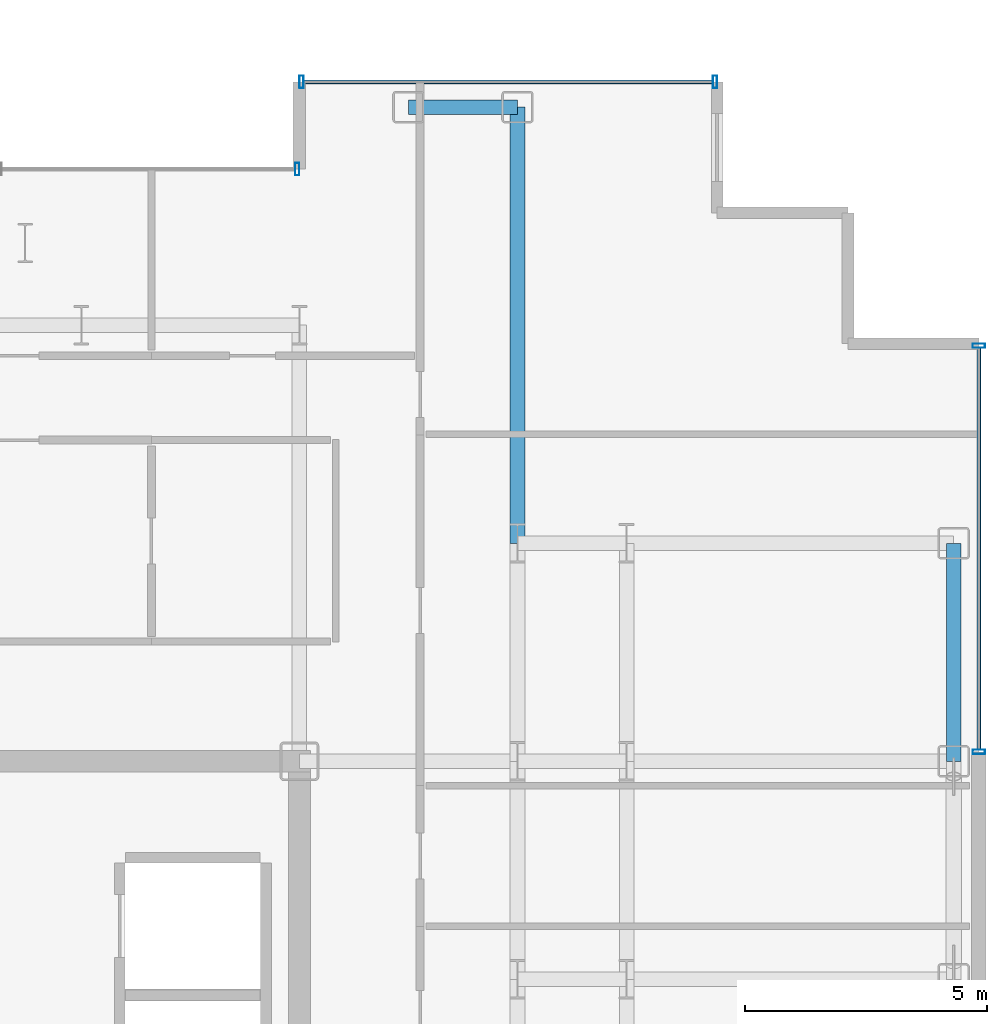
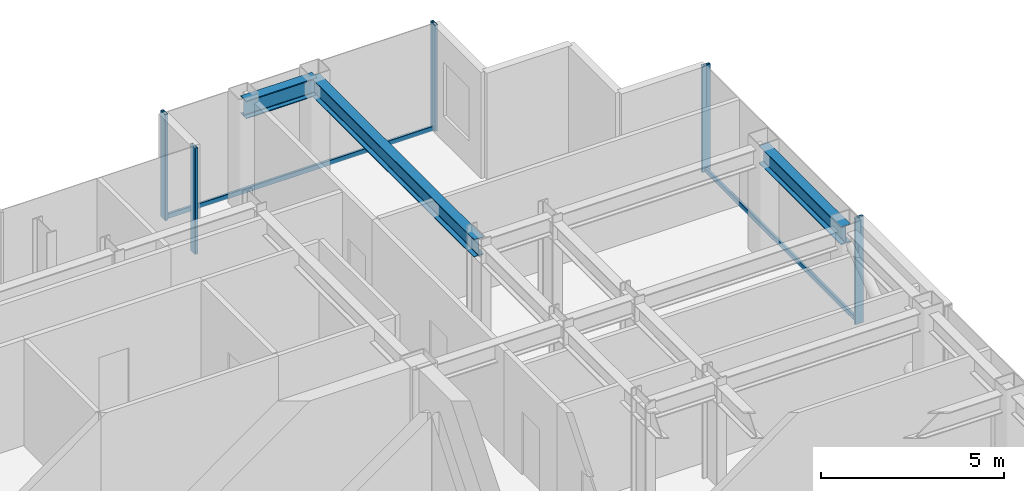
# One storey, part 13 of 21: 7 members, 3 beams, 3 elements without a shape of their own.
"""IFC4 building model written with IfcOpenShell, lengths in metres."""

import ifcopenshell
import ifcopenshell.guid

model = None  # the IFC model being written
_history = None  # IfcOwnerHistory: only IFC2X3 demands one
_inside = {}  # id of a spatial element -> (the spatial element, [elements in it])
_under = {}  # id of a project, library or spatial element -> (it, [spatial elements below it])
_declared = {}  # id of a project -> (the project, [libraries it declares])
_typed = {}  # id of a type object -> (the type object, [elements of that type])
_made_of = {}  # id of a material, layer set ... -> (it, [elements and type objects made of it])


def new_model(schema):
    """Start an empty IFC model of exactly this schema.

    Asked for "IFC4X3", IfcOpenShell would pick the latest addendum, in which some entities
    have other attributes; the version numbers below select the first issue.
    IFC2X3 requires an IfcOwnerHistory on every rooted entity: one is made here for all.
    """
    global model, _history
    if schema == "IFC4X3":
        model = ifcopenshell.file(schema_version=(4, 3, 0, 0))
    else:
        model = ifcopenshell.file(schema=schema)
    _inside.clear()
    _under.clear()
    _declared.clear()
    _typed.clear()
    _made_of.clear()
    _history = None
    if model.schema == "IFC2X3":
        org = make("IfcOrganization", Name="unknown")
        user = make(
            "IfcPersonAndOrganization",
            ThePerson=make("IfcPerson", FamilyName="unknown"),
            TheOrganization=org,
        )
        app = make(
            "IfcApplication",
            ApplicationDeveloper=org,
            Version="unknown",
            ApplicationFullName="unknown",
            ApplicationIdentifier="unknown",
        )
        _history = make(
            "IfcOwnerHistory",
            OwningUser=user,
            OwningApplication=app,
            ChangeAction="ADDED",
            CreationDate=0,
        )
    return model


def make(cls, **values):
    """One entity of the class cls with the attributes given. An attribute that is None is left unset."""
    return model.create_entity(
        cls, **{name: value for name, value in values.items() if value is not None}
    )


def rooted(cls, **values):
    """An entity with a GlobalId (a new one), such as an element, a storey or a relation."""
    return make(cls, GlobalId=ifcopenshell.guid.new(), OwnerHistory=_history, **values)


def si_unit(unit_type, name, prefix=None):
    """IfcSIUnit, for example si_unit("LENGTHUNIT", "METRE", prefix="MILLI")."""
    return make("IfcSIUnit", UnitType=unit_type, Prefix=prefix, Name=name)


def assignment(units):
    """IfcUnitAssignment: the units of a project."""
    return None if units is None else make("IfcUnitAssignment", Units=units)


def point(xyz):
    """IfcCartesianPoint."""
    return None if xyz is None else make("IfcCartesianPoint", Coordinates=xyz)


def direction(xyz):
    """IfcDirection."""
    return None if xyz is None else make("IfcDirection", DirectionRatios=xyz)


def frame(location, z_axis=None, x_axis=None):
    """IfcAxis2Placement3D, a coordinate frame: its origin and axes. An axis left out is left unset."""
    return make(
        "IfcAxis2Placement3D",
        Location=point(location),
        Axis=direction(z_axis),
        RefDirection=direction(x_axis),
    )


def frame_2d(location, x_axis=None):
    """IfcAxis2Placement2D, a coordinate frame in the plane: its origin and x axis."""
    return make(
        "IfcAxis2Placement2D", Location=point(location), RefDirection=direction(x_axis)
    )


def origin():
    """The frame at (0, 0, 0) with its axes left unset."""
    return frame((0.0, 0.0, 0.0))


def origin_2d():
    """The frame at (0, 0) in the plane with its x axis left unset."""
    return frame_2d((0.0, 0.0))


def place(relative_to, where):
    """IfcLocalPlacement: puts the frame where relative to a parent placement (None: the world)."""
    return make(
        "IfcLocalPlacement", PlacementRelTo=relative_to, RelativePlacement=where
    )


def context(
    kind, dimensions, precision=None, world=None, true_north=None, identifier=None
):
    """IfcGeometricRepresentationContext, for example the 3D "Model" context."""
    return make(
        "IfcGeometricRepresentationContext",
        ContextIdentifier=identifier,
        ContextType=kind,
        CoordinateSpaceDimension=dimensions,
        Precision=precision,
        WorldCoordinateSystem=world,
        TrueNorth=true_north,
    )


def subcontext(parent, identifier, kind, view, scale=None):
    """IfcGeometricRepresentationSubContext, for example "Body" below "Model"."""
    return make(
        "IfcGeometricRepresentationSubContext",
        ContextIdentifier=identifier,
        ContextType=kind,
        ParentContext=parent,
        TargetScale=scale,
        TargetView=view,
    )


def project(units=None, contexts=None):
    """IfcProject with its units and contexts."""
    return rooted(
        "IfcProject",
        Name="project",
        RepresentationContexts=contexts,
        UnitsInContext=assignment(units),
    )


def spatial(cls, under=None, at=None, **own):
    """A site, building, storey or space (cls), placed at a placement, below another one or the project."""
    s = rooted(cls, ObjectPlacement=at, **own)
    if under is not None:
        _under.setdefault(under.id(), (under, []))[1].append(s)
    return s


def profile(cls, at=None, kind="AREA", **sizes):
    """A parametric profile (cls). Its sizes go by their IFC names, for example OverallWidth=200.0."""
    return make(cls, ProfileType=kind, Position=at, **sizes)


def hollow_rectangle(**sizes):
    """IfcRectangleHollowProfileDef."""
    return profile("IfcRectangleHollowProfileDef", **sizes)


def i_section(**sizes):
    """IfcIShapeProfileDef."""
    return profile("IfcIShapeProfileDef", **sizes)


def extrude(swept, where, along, depth):
    """IfcExtrudedAreaSolid: the profile swept, set in the frame where, extruded along a direction by depth."""
    return make(
        "IfcExtrudedAreaSolid",
        SweptArea=swept,
        Position=where,
        ExtrudedDirection=direction(along),
        Depth=depth,
    )


def shape(context_of_items, identifier, shape_type, items):
    """IfcShapeRepresentation: the items that make up one representation, for example the "Body"."""
    return make(
        "IfcShapeRepresentation",
        ContextOfItems=context_of_items,
        RepresentationIdentifier=identifier,
        RepresentationType=shape_type,
        Items=items,
    )


def source(mapping_origin, context_of_items, identifier, shape_type, items):
    """IfcRepresentationMap: a shape defined once, which mapped items show again and again."""
    return make(
        "IfcRepresentationMap",
        MappingOrigin=mapping_origin,
        MappedRepresentation=shape(context_of_items, identifier, shape_type, items),
    )


def transform(
    local_origin,
    x_axis=None,
    y_axis=None,
    z_axis=None,
    scale=None,
    scale2=None,
    scale3=None,
    uniform=True,
):
    """IfcCartesianTransformationOperator3D, or its non-uniform kind. x_axis, y_axis, z_axis: its Axis1, 2, 3."""
    if uniform:
        return make(
            "IfcCartesianTransformationOperator3D",
            Axis1=direction(x_axis),
            Axis2=direction(y_axis),
            LocalOrigin=point(local_origin),
            Scale=scale,
            Axis3=direction(z_axis),
        )
    return make(
        "IfcCartesianTransformationOperator3DnonUniform",
        Axis1=direction(x_axis),
        Axis2=direction(y_axis),
        LocalOrigin=point(local_origin),
        Scale=scale,
        Axis3=direction(z_axis),
        Scale2=scale2,
        Scale3=scale3,
    )


def mapped(mapping_source, mapping_target):
    """IfcMappedItem: shows the shape of a source again, moved by a transform."""
    return make(
        "IfcMappedItem", MappingSource=mapping_source, MappingTarget=mapping_target
    )


def material(Name=None, Category=None):
    """IfcMaterial."""
    return make("IfcMaterial", Name=Name, Category=Category)


def layer(
    of_material, thickness, ventilated=None, Name=None, Category=None, Priority=None
):
    """IfcMaterialLayer: one layer of a wall or slab, of a material (None: an air gap)."""
    return make(
        "IfcMaterialLayer",
        Material=of_material,
        LayerThickness=thickness,
        IsVentilated=ventilated,
        Name=Name,
        Category=Category,
        Priority=Priority,
    )


def layer_set(layers, Name=None):
    """IfcMaterialLayerSet."""
    return make("IfcMaterialLayerSet", MaterialLayers=layers, LayerSetName=Name)


def material_profile(
    of_material, cross_section, Name=None, Category=None, Priority=None
):
    """IfcMaterialProfile: a cross section and its material."""
    return make(
        "IfcMaterialProfile",
        Name=Name,
        Material=of_material,
        Profile=cross_section,
        Priority=Priority,
        Category=Category,
    )


def profile_set(profiles, Name=None, composite=None):
    """IfcMaterialProfileSet."""
    return make(
        "IfcMaterialProfileSet",
        Name=Name,
        MaterialProfiles=profiles,
        CompositeProfile=composite,
    )


def made_of(thing, what):
    """Note that an element or type object is made of a material, layer set ...; save() writes the relation."""
    if what is not None:
        _made_of.setdefault(what.id(), (what, []))[1].append(thing)
    return thing


def type_object(cls, material=None, **own):
    """A type object (cls), such as IfcWallType, which elements share."""
    return made_of(rooted(cls, **own), material)


def element(
    cls,
    number,
    at=None,
    inside=None,
    cuts=None,
    type_object=None,
    material=None,
    context=None,
    identifier="Body",
    shape_type=None,
    held_by="IfcProductDefinitionShape",
    body=None,
    shapes=None,
    **own,
):
    """One element of the class cls, such as IfcWall. Its Tag is "e" and its number.

    at: its placement. inside: the storey or other place that contains it. cuts: it is an
    opening in that element (IfcRelVoidsElement). A single representation is given by context,
    identifier, shape_type and body (its items); several are given by shapes. held_by: the class
    of the entity that holds the representations. save() writes the other relations.
    """
    e = rooted(cls, Tag="e%d" % number, ObjectPlacement=at, **own)
    if body is not None:
        shapes = [shape(context, identifier, shape_type, body)]
    if shapes is not None:
        e.Representation = make(held_by, Representations=shapes)
    if inside is not None:
        _inside.setdefault(inside.id(), (inside, []))[1].append(e)
    if cuts is not None:
        rooted(
            "IfcRelVoidsElement", RelatingBuildingElement=cuts, RelatedOpeningElement=e
        )
    if type_object is not None:
        _typed.setdefault(type_object.id(), (type_object, []))[1].append(e)
    return made_of(e, material)


def aggregate(whole, parts):
    """IfcRelAggregates: a whole, such as a stair, and the parts it consists of."""
    return rooted("IfcRelAggregates", RelatingObject=whole, RelatedObjects=parts)


def save(model, path):
    """Write the relations noted so far, then the file.

    IfcRelAggregates (storeys below a building ...), IfcRelContainedInSpatialStructure (elements
    in a storey), IfcRelDefinesByType, IfcRelAssociatesMaterial and IfcRelDeclares: one each for
    every whole, place, type object, material and project.
    """
    for whole, parts in _under.values():
        aggregate(whole, parts)
    for where, things in _inside.values():
        rooted(
            "IfcRelContainedInSpatialStructure",
            RelatedElements=things,
            RelatingStructure=where,
        )
    for kind, things in _typed.values():
        rooted("IfcRelDefinesByType", RelatedObjects=things, RelatingType=kind)
    for what, things in _made_of.values():
        rooted("IfcRelAssociatesMaterial", RelatedObjects=things, RelatingMaterial=what)
    for by, libraries in _declared.values():
        rooted("IfcRelDeclares", RelatingContext=by, RelatedDefinitions=libraries)
    model.write(path)


model = new_model("IFC4")

# Units and contexts
model_context = context("Model", 3, precision=1e-05, world=origin(), true_north=direction((0.0, 1.0)))
body_context = subcontext(model_context, "Body", "Model", "MODEL_VIEW")
ifc_project = project(units=[si_unit("LENGTHUNIT", "METRE"), si_unit("AREAUNIT", "SQUARE_METRE"), si_unit("VOLUMEUNIT", "CUBIC_METRE"), si_unit("PLANEANGLEUNIT", "RADIAN"), si_unit("MASSUNIT", "GRAM", prefix="KILO")], contexts=[model_context])

# Site, building, storey
site_placement = place(None, origin())
site = spatial("IfcSite", under=ifc_project, at=site_placement, CompositionType="ELEMENT")
building_placement = place(site_placement, origin())
building = spatial("IfcBuilding", under=site, at=building_placement, Name="Nefas-Gora Pilgrimage Tower", CompositionType="ELEMENT")
storey_placement = place(building_placement, frame((0.0, 0.0, 252.199951171875)))
storey = spatial("IfcBuildingStorey", under=building, at=storey_placement, Name="L63", CompositionType="ELEMENT", Elevation=252.199951171875)

# Beams
ifc_material_1 = material(Name="Steel S355", Category="steel")
ifc_material_profile_1 = material_profile(ifc_material_1, i_section(OverallWidth=0.300048828125, OverallDepth=0.60009765625, WebThickness=0.015380859375, FlangeThickness=0.030029296875, FilletRadius=0.027099609375, at=origin_2d()), Name="HEB 600")
ifc_profile_set_1 = profile_set([ifc_material_profile_1], Name="Steel S355")
beam_type_1 = type_object("IfcBeamType", Name="BM-SPN-HEB450", PredefinedType="SPANDREL", material=ifc_profile_set_1)
shared_shape_1 = source(origin(), body_context, "Body", "SweptSolid", [
    extrude(i_section(OverallWidth=0.300048828125, OverallDepth=0.60009765625, WebThickness=0.015380859375, FlangeThickness=0.030029296875, FilletRadius=0.027099609375, at=origin_2d()), origin(), (0.0, 0.0, 1.0), 4.5),
])
beam_1_placement = place(storey_placement, frame((24.75, 9.0, 3.25), z_axis=(0.0, 1.0, 0.0), x_axis=(-1.0, 0.0, 0.0)))
element("IfcBeam", 1, at=beam_1_placement, inside=storey, type_object=beam_type_1, Name="L63 SP-03 beam", PredefinedType="SPANDREL", context=body_context, shape_type="MappedRepresentation", body=[
    mapped(shared_shape_1, transform((0.0, 0.0, 0.0), x_axis=(1.0, 0.0, 0.0), y_axis=(0.0, 1.0, 0.0), z_axis=(0.0, 0.0, 1.0), scale=1.0)),
])
ifc_material_profile_2 = material_profile(ifc_material_1, i_section(OverallWidth=0.300048828125, OverallDepth=0.60009765625, WebThickness=0.015380859375, FlangeThickness=0.030029296875, FilletRadius=0.027099609375, at=origin_2d()), Name="HEB 600")
ifc_profile_set_2 = profile_set([ifc_material_profile_2], Name="Steel S355")
beam_type_2 = type_object("IfcBeamType", Name="BM-GIR-HEB600", PredefinedType="BEAM", material=ifc_profile_set_2)
shared_shape_2 = source(origin(), body_context, "Body", "SweptSolid", [
    extrude(i_section(OverallWidth=0.300048828125, OverallDepth=0.60009765625, WebThickness=0.015380859375, FlangeThickness=0.030029296875, FilletRadius=0.027099609375, at=origin_2d()), origin(), (0.0, 0.0, 1.0), 9.0),
])
beam_2_placement = place(storey_placement, frame((15.75, 13.5, 3.25), z_axis=(0.0, 1.0, 0.0), x_axis=(-1.0, 0.0, 0.0)))
element("IfcBeam", 2, at=beam_2_placement, inside=storey, type_object=beam_type_2, Name="L63 G-04 beam", PredefinedType="BEAM", context=body_context, shape_type="MappedRepresentation", body=[
    mapped(shared_shape_2, transform((0.0, 0.0, 0.0), x_axis=(1.0, 0.0, 0.0), y_axis=(0.0, 1.0, 0.0), z_axis=(0.0, 0.0, 1.0), scale=1.0)),
])
shared_shape_3 = source(origin(), body_context, "Body", "SweptSolid", [
    extrude(i_section(OverallWidth=0.300048828125, OverallDepth=0.60009765625, WebThickness=0.015380859375, FlangeThickness=0.030029296875, FilletRadius=0.027099609375, at=origin_2d()), origin(), (0.0, 0.0, 1.0), 2.25),
])
beam_3_placement = place(storey_placement, frame((13.5, 22.5, 3.25), z_axis=(1.0, 0.0, 0.0), x_axis=(0.0, 1.0, 0.0)))
element("IfcBeam", 3, at=beam_3_placement, inside=storey, type_object=beam_type_1, Name="L63 SP-03 beam", PredefinedType="SPANDREL", context=body_context, shape_type="MappedRepresentation", body=[
    mapped(shared_shape_3, transform((0.0, 0.0, 0.0), x_axis=(1.0, 0.0, 0.0), y_axis=(0.0, 1.0, 0.0), z_axis=(0.0, 0.0, 1.0), scale=1.0)),
])

# Curtain wall, member
ifc_material_2 = material(Name="Dark ceramic-fritted solar-control aluminium-glass curtain wall", Category="aluminium")
ifc_layer_1 = layer(ifc_material_2, 0.219970703125)
ifc_layer_set_1 = layer_set([ifc_layer_1], Name="Dark ceramic-fritted solar-control aluminium-glass curtain wall")
curtain_wall_type_1 = type_object("IfcCurtainWallType", Name="CW-SYS-5", PredefinedType="NOTDEFINED", material=ifc_layer_set_1)
curtain_wall_1_placement = place(storey_placement, origin())
curtain_wall_1 = element("IfcCurtainWall", 4, at=curtain_wall_1_placement, inside=storey, type_object=curtain_wall_type_1, Name="L63 Unitised Curtain Wall CW5", PredefinedType="NOTDEFINED")
ifc_material_3 = material(Name="Anodised architectural aluminium", Category="aluminium")
ifc_material_profile_3 = material_profile(ifc_material_3, hollow_rectangle(XDim=0.090087890625, YDim=0.260009765625, WallThickness=0.006103515625, InnerFilletRadius=0.006103515625, OuterFilletRadius=0.011962890625, at=origin_2d()), Name="ALU MULLION 90x260")
ifc_profile_set_3 = profile_set([ifc_material_profile_3], Name="Anodised architectural aluminium")
member_type_1 = type_object("IfcMemberType", Name="CWM-MUL-5", PredefinedType="MULLION", material=ifc_profile_set_3)
shared_shape_4 = source(origin(), body_context, "Body", "SweptSolid", [
    extrude(hollow_rectangle(XDim=0.090087890625, YDim=0.260009765625, WallThickness=0.006103515625, InnerFilletRadius=0.006103515625, OuterFilletRadius=0.011962890625, at=origin_2d()), origin(), (0.0, 0.0, 1.0), 3.550048828125),
])
member_1_placement = place(storey_placement, frame((11.205078125, 21.219970703125, 0.0), z_axis=(0.0, 0.0, 1.0), x_axis=(-1.0, 0.0, 0.0)))
member_1 = element("IfcMember", 5, at=member_1_placement, type_object=member_type_1, Name="CW5 Mullion 1", PredefinedType="MULLION", context=body_context, shape_type="MappedRepresentation", body=[
    mapped(shared_shape_4, transform((0.0, 0.0, 0.0), x_axis=(1.0, 0.0, 0.0), y_axis=(0.0, 1.0, 0.0), z_axis=(0.0, 0.0, 1.0), scale=1.0)),
])
aggregate(curtain_wall_1, [member_1])

# Curtain wall, members
ifc_layer_2 = layer(ifc_material_2, 0.219970703125)
ifc_layer_set_2 = layer_set([ifc_layer_2], Name="Dark ceramic-fritted solar-control aluminium-glass curtain wall")
curtain_wall_type_2 = type_object("IfcCurtainWallType", Name="CW-SYS-3", PredefinedType="NOTDEFINED", material=ifc_layer_set_2)
curtain_wall_2_placement = place(storey_placement, origin())
curtain_wall_2 = element("IfcCurtainWall", 6, at=curtain_wall_2_placement, inside=storey, type_object=curtain_wall_type_2, Name="L63 Unitised Curtain Wall CW3", PredefinedType="NOTDEFINED")
ifc_material_profile_4 = material_profile(ifc_material_3, hollow_rectangle(XDim=0.090087890625, YDim=0.260009765625, WallThickness=0.006103515625, InnerFilletRadius=0.006103515625, OuterFilletRadius=0.011962890625, at=origin_2d()), Name="ALU MULLION 90x260")
ifc_profile_set_4 = profile_set([ifc_material_profile_4], Name="Anodised architectural aluminium")
member_type_2 = type_object("IfcMemberType", Name="CWM-MUL-3", PredefinedType="MULLION", material=ifc_profile_set_4)
shared_shape_5 = source(origin(), body_context, "Body", "SweptSolid", [
    extrude(hollow_rectangle(XDim=0.090087890625, YDim=0.260009765625, WallThickness=0.006103515625, InnerFilletRadius=0.006103515625, OuterFilletRadius=0.011962890625, at=origin_2d()), origin(), (0.0, 0.0, 1.0), 3.550048828125),
])
member_2_placement = place(storey_placement, frame((25.27001953125, 9.195068359375, 0.0), z_axis=(0.0, 0.0, 1.0), x_axis=(0.0, 1.0, 0.0)))
member_2 = element("IfcMember", 7, at=member_2_placement, type_object=member_type_2, Name="CW3 Mullion 1", PredefinedType="MULLION", context=body_context, shape_type="MappedRepresentation", body=[
    mapped(shared_shape_5, transform((0.0, 0.0, 0.0), x_axis=(1.0, 0.0, 0.0), y_axis=(0.0, 1.0, 0.0), z_axis=(0.0, 0.0, 1.0), scale=1.0)),
])
member_3_placement = place(storey_placement, frame((25.27001953125, 17.574951171875, 0.0), z_axis=(0.0, 0.0, 1.0), x_axis=(0.0, 1.0, 0.0)))
member_3 = element("IfcMember", 8, at=member_3_placement, type_object=member_type_2, Name="CW3 Mullion 2", PredefinedType="MULLION", context=body_context, shape_type="MappedRepresentation", body=[
    mapped(shared_shape_5, transform((0.0, 0.0, 0.0), x_axis=(1.0, 0.0, 0.0), y_axis=(0.0, 1.0, 0.0), z_axis=(0.0, 0.0, 1.0), scale=1.0)),
])

curtain_wall_3_placement = place(storey_placement, origin())
curtain_wall_3 = element("IfcCurtainWall", 9, at=curtain_wall_3_placement, inside=storey, type_object=curtain_wall_type_2, Name="L63 Unitised Curtain Wall CW3", PredefinedType="NOTDEFINED")
member_4_placement = place(storey_placement, frame((19.824951171875, 23.02001953125, 0.0), z_axis=(0.0, 0.0, 1.0), x_axis=(-1.0, 0.0, 0.0)))
member_4 = element("IfcMember", 10, at=member_4_placement, type_object=member_type_2, Name="CW3 Mullion 1", PredefinedType="MULLION", context=body_context, shape_type="MappedRepresentation", body=[
    mapped(shared_shape_5, transform((0.0, 0.0, 0.0), x_axis=(1.0, 0.0, 0.0), y_axis=(0.0, 1.0, 0.0), z_axis=(0.0, 0.0, 1.0), scale=1.0)),
])
member_5_placement = place(storey_placement, frame((11.294921875, 23.02001953125, 0.0), z_axis=(0.0, 0.0, 1.0), x_axis=(-1.0, 0.0, 0.0)))
member_5 = element("IfcMember", 11, at=member_5_placement, type_object=member_type_2, Name="CW3 Mullion 2", PredefinedType="MULLION", context=body_context, shape_type="MappedRepresentation", body=[
    mapped(shared_shape_5, transform((0.0, 0.0, 0.0), x_axis=(1.0, 0.0, 0.0), y_axis=(0.0, 1.0, 0.0), z_axis=(0.0, 0.0, 1.0), scale=1.0)),
])
ifc_material_profile_5 = material_profile(ifc_material_3, hollow_rectangle(XDim=0.080078125, YDim=0.159912109375, WallThickness=0.00439453125, InnerFilletRadius=0.00439453125, OuterFilletRadius=0.009033203125, at=origin_2d()), Name="ALU TRANSOM 80x160")
ifc_profile_set_5 = profile_set([ifc_material_profile_5], Name="Anodised architectural aluminium")
member_type_3 = type_object("IfcMemberType", Name="CWM-TRN-3", PredefinedType="USERDEFINED", material=ifc_profile_set_5)
shared_shape_6 = source(origin(), body_context, "Body", "SweptSolid", [
    extrude(hollow_rectangle(XDim=0.080078125, YDim=0.159912109375, WallThickness=0.00439453125, InnerFilletRadius=0.00439453125, OuterFilletRadius=0.009033203125, at=origin_2d()), origin(), (0.0, 0.0, 1.0), 8.43994140625),
])
member_6_placement = place(storey_placement, frame((19.780029296875, 23.02001953125, 0.050048828125), z_axis=(-1.0, 0.0, 0.0), x_axis=(0.0, -1.0, 0.0)))
member_6 = element("IfcMember", 12, at=member_6_placement, type_object=member_type_3, Name="CW3 Spandrel Transom", ObjectType="TRANSOM", PredefinedType="USERDEFINED", context=body_context, shape_type="MappedRepresentation", body=[
    mapped(shared_shape_6, transform((0.0, 0.0, 0.0), x_axis=(1.0, 0.0, 0.0), y_axis=(0.0, 1.0, 0.0), z_axis=(0.0, 0.0, 1.0), scale=1.0)),
])
aggregate(curtain_wall_3, [member_4, member_5, member_6])

# Member
shared_shape_7 = source(origin(), body_context, "Body", "SweptSolid", [
    extrude(hollow_rectangle(XDim=0.080078125, YDim=0.159912109375, WallThickness=0.00439453125, InnerFilletRadius=0.00439453125, OuterFilletRadius=0.009033203125, at=origin_2d()), origin(), (0.0, 0.0, 1.0), 8.2900390625),
])
member_7_placement = place(storey_placement, frame((25.27001953125, 9.239990234375, 0.050048828125), z_axis=(0.0, 1.0, 0.0), x_axis=(-1.0, 0.0, 0.0)))
member_7 = element("IfcMember", 13, at=member_7_placement, type_object=member_type_3, Name="CW3 Spandrel Transom", ObjectType="TRANSOM", PredefinedType="USERDEFINED", context=body_context, shape_type="MappedRepresentation", body=[
    mapped(shared_shape_7, transform((0.0, 0.0, 0.0), x_axis=(1.0, 0.0, 0.0), y_axis=(0.0, 1.0, 0.0), z_axis=(0.0, 0.0, 1.0), scale=1.0)),
])

aggregate(curtain_wall_2, [member_2, member_3, member_7])

save(model, "model.ifc")
